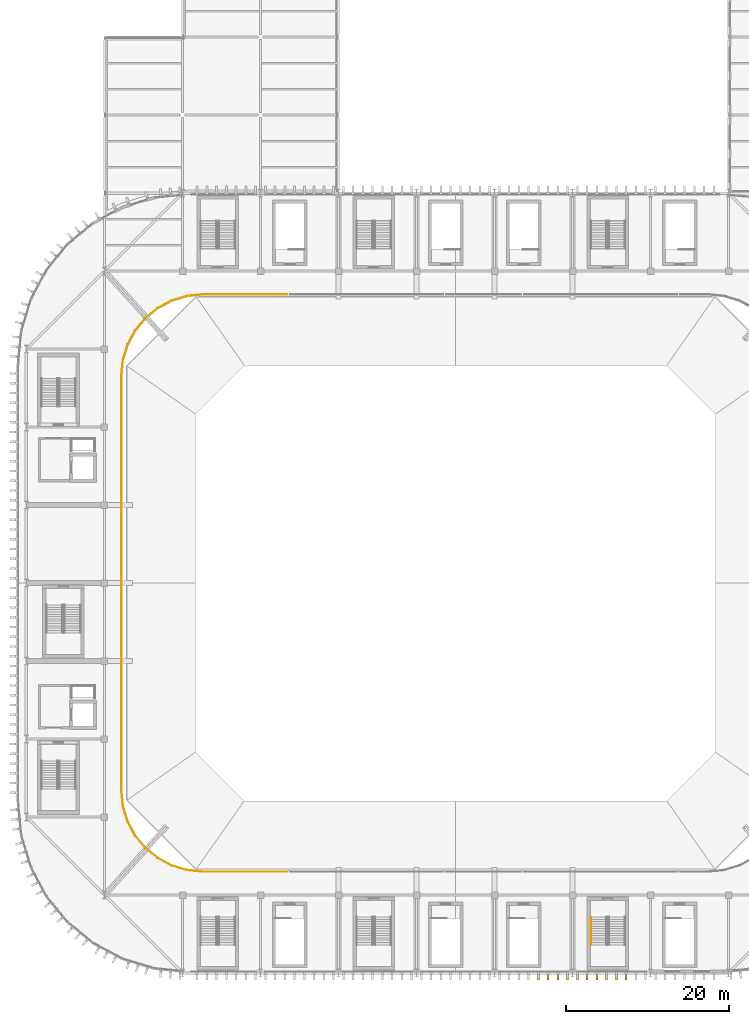
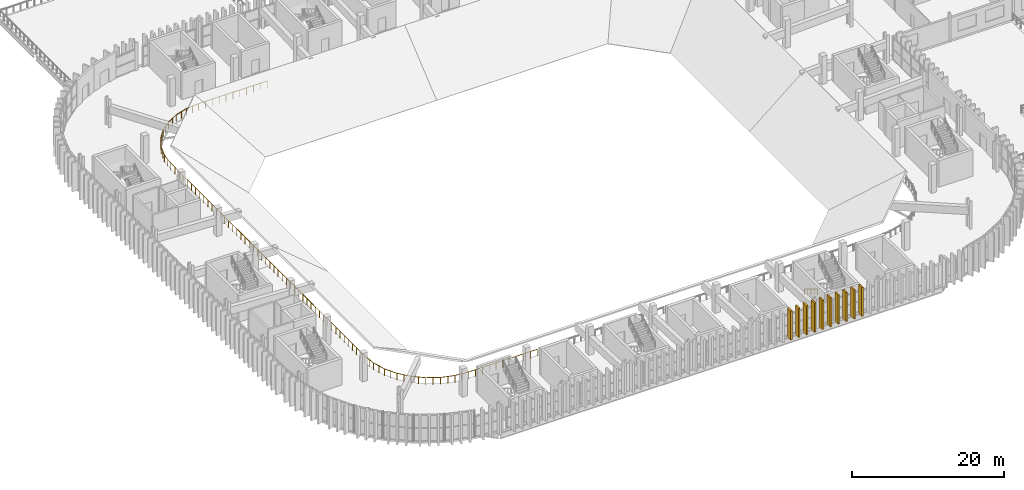
# One storey, part 58 of 69: 10 coverings, 2 railings.
"""IFC4 building model written with IfcOpenShell, lengths in metres."""

from ifc_helpers import new_model, si_unit, direction, frame, origin, origin_2d, place, context, subcontext, project, spatial, rectangle, circle, extrude, material, material_profile, profile_set, type_object, element, save


model = new_model("IFC4")

# Units and contexts
model_context = context("Model", 3, precision=1e-05, world=origin(), true_north=direction((0.0, 1.0)))
body_context = subcontext(model_context, "Body", "Model", "MODEL_VIEW")
ifc_project = project(units=[si_unit("LENGTHUNIT", "METRE"), si_unit("AREAUNIT", "SQUARE_METRE"), si_unit("VOLUMEUNIT", "CUBIC_METRE"), si_unit("PLANEANGLEUNIT", "RADIAN"), si_unit("MASSUNIT", "GRAM", prefix="KILO")], contexts=[model_context])

# Site, building, storey
site_placement = place(None, origin())
site = spatial("IfcSite", under=ifc_project, at=site_placement, CompositionType="ELEMENT")
building_placement = place(site_placement, origin())
building = spatial("IfcBuilding", under=site, at=building_placement, Name="Caelomonte Colonnade Arena", CompositionType="ELEMENT")
storey_placement = place(building_placement, frame((0.0, 0.0, 18.60009765625)))
storey = spatial("IfcBuildingStorey", under=building, at=storey_placement, Name="L04", CompositionType="ELEMENT", Elevation=18.60009765625)

# Coverings
ifc_material_1 = material(Name="Precast travertine cladding", Category="masonry")
ifc_material_profile = material_profile(ifc_material_1, rectangle(XDim=0.260009765625, YDim=0.85009765625, at=origin_2d()), Name="FIN260X850")
ifc_profile_set = profile_set([ifc_material_profile], Name="Precast travertine cladding")
covering_type = type_object("IfcCoveringType", Name="ENV-FN-SHAFT", PredefinedType="CLADDING", material=ifc_profile_set)
for number, where, z_axis, x_axis, name in (
    (1, (120.60009765625, 18.779052734375, -0.16015625), (0.0, 0.0, 1.0), (-1.0, 0.0, 0.0), "V1 L04 classical travertine vertical fin 274"),
    (2, (121.800048828125, 18.779052734375, -0.16015625), (0.0, 0.0, 1.0), (-1.0, 0.0, 0.0), "V1 L04 classical travertine vertical fin 275"),
    (3, (123.0, 18.779052734375, -0.16015625), (0.0, 0.0, 1.0), (-1.0, 0.0, 0.0), "V1 L04 classical travertine vertical fin 276"),
    (4, (124.199951171875, 18.779052734375, -0.16015625), (0.0, 0.0, 1.0), (-1.0, 0.0, 0.0), "V1 L04 classical travertine vertical fin 277"),
    (5, (125.39990234375, 18.779052734375, -0.16015625), (0.0, 0.0, 1.0), (-1.0, 0.0, 0.0), "V1 L04 classical travertine vertical fin 278"),
    (6, (126.60009765625, 18.779052734375, -0.16015625), (0.0, 0.0, 1.0), (-1.0, 0.0, 0.0), "V1 L04 classical travertine vertical fin 279"),
    (7, (127.800048828125, 18.779052734375, -0.16015625), (0.0, 0.0, 1.0), (-1.0, 0.0, 0.0), "V1 L04 classical travertine vertical fin 280"),
    (8, (129.0, 18.779052734375, -0.16015625), (0.0, 0.0, 1.0), (-1.0, 0.0, 0.0), "V1 L04 classical travertine vertical fin 281"),
    (9, (130.199951171875, 18.779052734375, -0.16015625), (0.0, 0.0, 1.0), (-1.0, 0.0, 0.0), "V1 L04 classical travertine vertical fin 282"),
    (10, (131.39990234375, 18.779052734375, -0.16015625), (0.0, 0.0, 1.0), (-1.0, 0.0, 0.0), "V1 L04 classical travertine vertical fin 283"),
):
    element("IfcCovering", number, at=place(storey_placement, frame(where, z_axis=z_axis, x_axis=x_axis)), inside=storey, type_object=covering_type, Name=name, PredefinedType="CLADDING", context=body_context, shape_type="SweptSolid", body=[
        extrude(rectangle(XDim=0.260009765625, YDim=0.85009765625, at=origin_2d()), origin(), (0.0, 0.0, 1.0), 4.66015625),
    ])

# Railings
ifc_material_2 = material(Name="Painted galvanized steel handrail and posts", Category="steel")
railing_type_1 = type_object("IfcRailingType", Name="ENV-RL-GRD1", PredefinedType="GUARDRAIL", material=ifc_material_2)
railing_1_placement = place(storey_placement, frame((89.693115234375, 102.719970703125, 0.0)))
element("IfcRailing", 11, at=railing_1_placement, inside=storey, type_object=railing_type_1, Name="L04 upper concourse bowl guard 5", PredefinedType="GUARDRAIL", context=body_context, shape_type="SweptSolid", body=[
    extrude(circle(Radius=0.02392578125, at=origin_2d()), frame((0.0, 0.0, 1.076171875), z_axis=(-1.0, 0.0, 0.0), x_axis=(0.0, -1.0, 0.0)), (0.0, 0.0, 1.0), 10.3818359375),
    extrude(circle(Radius=0.02392578125, at=origin_2d()), frame((-10.444091796875, -0.003173828125, 1.076171875), z_axis=(-0.995185270943, -0.098011614095, 0.0), x_axis=(0.098011614095, -0.995185270943, 0.0)), (0.0, 0.0, 1.0), 1.89794921875),
    extrude(circle(Radius=0.02392578125, at=origin_2d()), frame((-12.39404296875, -0.201171875, 1.076171875), z_axis=(-0.956937426882, -0.290294266276, 0.0), x_axis=(0.290294266276, -0.956937426882, 0.0)), (0.0, 0.0, 1.0), 1.89794921875),
    extrude(circle(Radius=0.02392578125, at=origin_2d()), frame((-14.267578125, -0.77587890625, 1.076171875), z_axis=(-0.881914706722, -0.471409005076, 0.0), x_axis=(0.471409005076, -0.881914706722, 0.0)), (0.0, 0.0, 1.0), 1.897705078125),
    extrude(circle(Radius=0.02392578125, at=origin_2d()), frame((-15.992919921875, -1.705078125, 1.076171875), z_axis=(-0.773007598499, -0.634396762809, 0.0), x_axis=(0.634396762809, -0.773007598499, 0.0)), (0.0, 0.0, 1.0), 1.89794921875),
    extrude(circle(Radius=0.02392578125, at=origin_2d()), frame((-17.50390625, -2.953125, 1.076171875), z_axis=(-0.634396762809, -0.773007598499, 0.0), x_axis=(0.773007598499, -0.634396762809, 0.0)), (0.0, 0.0, 1.0), 1.89794921875),
    extrude(circle(Radius=0.02392578125, at=origin_2d()), frame((-18.742431640625, -4.471923828125, 1.076171875), z_axis=(-0.471409005076, -0.881914706722, 0.0), x_axis=(0.881914706722, -0.471409005076, 0.0)), (0.0, 0.0, 1.0), 1.897705078125),
    extrude(circle(Radius=0.02392578125, at=origin_2d()), frame((-19.660888671875, -6.203125, 1.076171875), z_axis=(-0.290294266276, -0.956937426882, 0.0), x_axis=(0.956937426882, -0.290294266276, 0.0)), (0.0, 0.0, 1.0), 1.89794921875),
    extrude(circle(Radius=0.02392578125, at=origin_2d()), frame((-20.22412109375, -8.080078125, 1.076171875), z_axis=(-0.098011614095, -0.995185270943, 0.0), x_axis=(0.995185270943, -0.098011614095, 0.0)), (0.0, 0.0, 1.0), 1.89794921875),
    extrude(circle(Radius=0.02392578125, at=origin_2d()), frame((-20.4130859375, -10.03125, 1.076171875), z_axis=(0.0, -1.0, 0.0), x_axis=(1.0, 0.0, 0.0)), (0.0, 0.0, 1.0), 50.9775390625),
    extrude(circle(Radius=0.02392578125, at=origin_2d()), frame((-20.409912109375, -61.071044921875, 1.076171875), z_axis=(0.098011614095, -0.995185270943, 0.0), x_axis=(0.995185270943, 0.098011614095, 0.0)), (0.0, 0.0, 1.0), 1.89794921875),
    extrude(circle(Radius=0.02392578125, at=origin_2d()), frame((-20.2119140625, -63.02099609375, 1.076171875), z_axis=(0.290328865595, -0.956926930231, 0.0), x_axis=(0.956926930231, 0.290328865595, 0.0)), (0.0, 0.0, 1.0), 1.897705078125),
    extrude(circle(Radius=0.02392578125, at=origin_2d()), frame((-19.63720703125, -64.894287109375, 1.076171875), z_axis=(0.471357230618, -0.881942379719, 0.0), x_axis=(0.881942379719, 0.471357230618, 0.0)), (0.0, 0.0, 1.0), 1.89794921875),
    extrude(circle(Radius=0.02392578125, at=origin_2d()), frame((-18.7080078125, -66.619873046875, 1.076171875), z_axis=(0.634396762809, -0.773007598499, 0.0), x_axis=(0.773007598499, 0.634396762809, 0.0)), (0.0, 0.0, 1.0), 1.89794921875),
    extrude(circle(Radius=0.02392578125, at=origin_2d()), frame((-17.4599609375, -68.130859375, 1.076171875), z_axis=(0.773007598499, -0.634396762809, 0.0), x_axis=(0.634396762809, 0.773007598499, 0.0)), (0.0, 0.0, 1.0), 1.89794921875),
    extrude(circle(Radius=0.02392578125, at=origin_2d()), frame((-15.941162109375, -69.369384765625, 1.076171875), z_axis=(0.881914706722, -0.471409005076, 0.0), x_axis=(0.471409005076, 0.881914706722, 0.0)), (0.0, 0.0, 1.0), 1.897705078125),
    extrude(circle(Radius=0.02392578125, at=origin_2d()), frame((-14.2099609375, -70.287841796875, 1.076171875), z_axis=(0.956937426882, -0.290294266276, 0.0), x_axis=(0.290294266276, 0.956937426882, 0.0)), (0.0, 0.0, 1.0), 1.89794921875),
    extrude(circle(Radius=0.02392578125, at=origin_2d()), frame((-12.3330078125, -70.85107421875, 1.076171875), z_axis=(0.995185270943, -0.098011614095, 0.0), x_axis=(0.098011614095, 0.995185270943, 0.0)), (0.0, 0.0, 1.0), 1.89794921875),
    extrude(circle(Radius=0.02392578125, at=origin_2d()), frame((-10.3818359375, -71.0400390625, 1.076171875), z_axis=(1.0, 0.0, 0.0), x_axis=(0.0, 1.0, 0.0)), (0.0, 0.0, 1.0), 10.3818359375),
    extrude(circle(Radius=0.02099609375, at=origin_2d()), origin(), (0.0, 0.0, 1.0), 1.048095703125),
    extrude(circle(Radius=0.02099609375, at=origin_2d()), frame((-1.041259765625, 0.0, 0.0)), (0.0, 0.0, 1.0), 1.048095703125),
    extrude(circle(Radius=0.02099609375, at=origin_2d()), frame((-2.08251953125, 0.0, 0.0)), (0.0, 0.0, 1.0), 1.048095703125),
    extrude(circle(Radius=0.02099609375, at=origin_2d()), frame((-3.1240234375, 0.0, 0.0)), (0.0, 0.0, 1.0), 1.048095703125),
    extrude(circle(Radius=0.02099609375, at=origin_2d()), frame((-4.165283203125, 0.0, 0.0)), (0.0, 0.0, 1.0), 1.048095703125),
    extrude(circle(Radius=0.02099609375, at=origin_2d()), frame((-5.20654296875, 0.0, 0.0)), (0.0, 0.0, 1.0), 1.048095703125),
    extrude(circle(Radius=0.02099609375, at=origin_2d()), frame((-6.247802734375, 0.0, 0.0)), (0.0, 0.0, 1.0), 1.048095703125),
    extrude(circle(Radius=0.02099609375, at=origin_2d()), frame((-7.2890625, 0.0, 0.0)), (0.0, 0.0, 1.0), 1.048095703125),
    extrude(circle(Radius=0.02099609375, at=origin_2d()), frame((-8.33056640625, 0.0, 0.0)), (0.0, 0.0, 1.0), 1.048095703125),
    extrude(circle(Radius=0.02099609375, at=origin_2d()), frame((-9.371826171875, 0.0, 0.0)), (0.0, 0.0, 1.0), 1.048095703125),
    extrude(circle(Radius=0.02099609375, at=origin_2d()), frame((-10.4130859375, 0.0, 0.0)), (0.0, 0.0, 1.0), 1.048095703125),
    extrude(circle(Radius=0.02099609375, at=origin_2d()), frame((-11.388671875, -0.09619140625, 0.0)), (0.0, 0.0, 1.0), 1.048095703125),
    extrude(circle(Radius=0.02099609375, at=origin_2d()), frame((-12.364013671875, -0.192138671875, 0.0)), (0.0, 0.0, 1.0), 1.048095703125),
    extrude(circle(Radius=0.02099609375, at=origin_2d()), frame((-13.302001953125, -0.4765625, 0.0)), (0.0, 0.0, 1.0), 1.048095703125),
    extrude(circle(Radius=0.02099609375, at=origin_2d()), frame((-14.239990234375, -0.76123046875, 0.0)), (0.0, 0.0, 1.0), 1.048095703125),
    extrude(circle(Radius=0.02099609375, at=origin_2d()), frame((-15.1044921875, -1.22314453125, 0.0)), (0.0, 0.0, 1.0), 1.048095703125),
    extrude(circle(Radius=0.02099609375, at=origin_2d()), frame((-15.96875, -1.685302734375, 0.0)), (0.0, 0.0, 1.0), 1.048095703125),
    extrude(circle(Radius=0.02099609375, at=origin_2d()), frame((-16.7265625, -2.30712890625, 0.0)), (0.0, 0.0, 1.0), 1.048095703125),
    extrude(circle(Radius=0.02099609375, at=origin_2d()), frame((-17.484130859375, -2.928955078125, 0.0)), (0.0, 0.0, 1.0), 1.048095703125),
    extrude(circle(Radius=0.02099609375, at=origin_2d()), frame((-18.10595703125, -3.6865234375, 0.0)), (0.0, 0.0, 1.0), 1.048095703125),
    extrude(circle(Radius=0.02099609375, at=origin_2d()), frame((-18.727783203125, -4.4443359375, 0.0)), (0.0, 0.0, 1.0), 1.048095703125),
    extrude(circle(Radius=0.02099609375, at=origin_2d()), frame((-19.18994140625, -5.30859375, 0.0)), (0.0, 0.0, 1.0), 1.048095703125),
    extrude(circle(Radius=0.02099609375, at=origin_2d()), frame((-19.65185546875, -6.173095703125, 0.0)), (0.0, 0.0, 1.0), 1.048095703125),
    extrude(circle(Radius=0.02099609375, at=origin_2d()), frame((-19.9365234375, -7.111083984375, 0.0)), (0.0, 0.0, 1.0), 1.048095703125),
    extrude(circle(Radius=0.02099609375, at=origin_2d()), frame((-20.220947265625, -8.049072265625, 0.0)), (0.0, 0.0, 1.0), 1.048095703125),
    extrude(circle(Radius=0.02099609375, at=origin_2d()), frame((-20.31689453125, -9.0244140625, 0.0)), (0.0, 0.0, 1.0), 1.048095703125),
    extrude(circle(Radius=0.02099609375, at=origin_2d()), frame((-20.4130859375, -10.0, 0.0)), (0.0, 0.0, 1.0), 1.048095703125),
    extrude(circle(Radius=0.02099609375, at=origin_2d()), frame((-20.4130859375, -11.0859375, 0.0)), (0.0, 0.0, 1.0), 1.048095703125),
    extrude(circle(Radius=0.02099609375, at=origin_2d()), frame((-20.4130859375, -12.171875, 0.0)), (0.0, 0.0, 1.0), 1.048095703125),
    extrude(circle(Radius=0.02099609375, at=origin_2d()), frame((-20.4130859375, -13.2578125, 0.0)), (0.0, 0.0, 1.0), 1.048095703125),
    extrude(circle(Radius=0.02099609375, at=origin_2d()), frame((-20.4130859375, -14.34375, 0.0)), (0.0, 0.0, 1.0), 1.048095703125),
    extrude(circle(Radius=0.02099609375, at=origin_2d()), frame((-20.4130859375, -15.4296875, 0.0)), (0.0, 0.0, 1.0), 1.048095703125),
    extrude(circle(Radius=0.02099609375, at=origin_2d()), frame((-20.4130859375, -16.515869140625, 0.0)), (0.0, 0.0, 1.0), 1.048095703125),
    extrude(circle(Radius=0.02099609375, at=origin_2d()), frame((-20.4130859375, -17.601806640625, 0.0)), (0.0, 0.0, 1.0), 1.048095703125),
    extrude(circle(Radius=0.02099609375, at=origin_2d()), frame((-20.4130859375, -18.687744140625, 0.0)), (0.0, 0.0, 1.0), 1.048095703125),
    extrude(circle(Radius=0.02099609375, at=origin_2d()), frame((-20.4130859375, -19.773681640625, 0.0)), (0.0, 0.0, 1.0), 1.048095703125),
    extrude(circle(Radius=0.02099609375, at=origin_2d()), frame((-20.4130859375, -20.859619140625, 0.0)), (0.0, 0.0, 1.0), 1.048095703125),
    extrude(circle(Radius=0.02099609375, at=origin_2d()), frame((-20.4130859375, -21.945556640625, 0.0)), (0.0, 0.0, 1.0), 1.048095703125),
    extrude(circle(Radius=0.02099609375, at=origin_2d()), frame((-20.4130859375, -23.031494140625, 0.0)), (0.0, 0.0, 1.0), 1.048095703125),
    extrude(circle(Radius=0.02099609375, at=origin_2d()), frame((-20.4130859375, -24.117431640625, 0.0)), (0.0, 0.0, 1.0), 1.048095703125),
    extrude(circle(Radius=0.02099609375, at=origin_2d()), frame((-20.4130859375, -25.203369140625, 0.0)), (0.0, 0.0, 1.0), 1.048095703125),
    extrude(circle(Radius=0.02099609375, at=origin_2d()), frame((-20.4130859375, -26.289306640625, 0.0)), (0.0, 0.0, 1.0), 1.048095703125),
    extrude(circle(Radius=0.02099609375, at=origin_2d()), frame((-20.4130859375, -27.375244140625, 0.0)), (0.0, 0.0, 1.0), 1.048095703125),
    extrude(circle(Radius=0.02099609375, at=origin_2d()), frame((-20.4130859375, -28.461181640625, 0.0)), (0.0, 0.0, 1.0), 1.048095703125),
    extrude(circle(Radius=0.02099609375, at=origin_2d()), frame((-20.4130859375, -29.54736328125, 0.0)), (0.0, 0.0, 1.0), 1.048095703125),
    extrude(circle(Radius=0.02099609375, at=origin_2d()), frame((-20.4130859375, -30.63330078125, 0.0)), (0.0, 0.0, 1.0), 1.048095703125),
    extrude(circle(Radius=0.02099609375, at=origin_2d()), frame((-20.4130859375, -31.71923828125, 0.0)), (0.0, 0.0, 1.0), 1.048095703125),
    extrude(circle(Radius=0.02099609375, at=origin_2d()), frame((-20.4130859375, -32.80517578125, 0.0)), (0.0, 0.0, 1.0), 1.048095703125),
    extrude(circle(Radius=0.02099609375, at=origin_2d()), frame((-20.4130859375, -33.89111328125, 0.0)), (0.0, 0.0, 1.0), 1.048095703125),
    extrude(circle(Radius=0.02099609375, at=origin_2d()), frame((-20.4130859375, -34.97705078125, 0.0)), (0.0, 0.0, 1.0), 1.048095703125),
    extrude(circle(Radius=0.02099609375, at=origin_2d()), frame((-20.4130859375, -36.06298828125, 0.0)), (0.0, 0.0, 1.0), 1.048095703125),
    extrude(circle(Radius=0.02099609375, at=origin_2d()), frame((-20.4130859375, -37.14892578125, 0.0)), (0.0, 0.0, 1.0), 1.048095703125),
    extrude(circle(Radius=0.02099609375, at=origin_2d()), frame((-20.4130859375, -38.23486328125, 0.0)), (0.0, 0.0, 1.0), 1.048095703125),
    extrude(circle(Radius=0.02099609375, at=origin_2d()), frame((-20.4130859375, -39.32080078125, 0.0)), (0.0, 0.0, 1.0), 1.048095703125),
    extrude(circle(Radius=0.02099609375, at=origin_2d()), frame((-20.4130859375, -40.40673828125, 0.0)), (0.0, 0.0, 1.0), 1.048095703125),
    extrude(circle(Radius=0.02099609375, at=origin_2d()), frame((-20.4130859375, -41.49267578125, 0.0)), (0.0, 0.0, 1.0), 1.048095703125),
    extrude(circle(Radius=0.02099609375, at=origin_2d()), frame((-20.4130859375, -42.578857421875, 0.0)), (0.0, 0.0, 1.0), 1.048095703125),
    extrude(circle(Radius=0.02099609375, at=origin_2d()), frame((-20.4130859375, -43.664794921875, 0.0)), (0.0, 0.0, 1.0), 1.048095703125),
    extrude(circle(Radius=0.02099609375, at=origin_2d()), frame((-20.4130859375, -44.750732421875, 0.0)), (0.0, 0.0, 1.0), 1.048095703125),
    extrude(circle(Radius=0.02099609375, at=origin_2d()), frame((-20.4130859375, -45.836669921875, 0.0)), (0.0, 0.0, 1.0), 1.048095703125),
    extrude(circle(Radius=0.02099609375, at=origin_2d()), frame((-20.4130859375, -46.922607421875, 0.0)), (0.0, 0.0, 1.0), 1.048095703125),
    extrude(circle(Radius=0.02099609375, at=origin_2d()), frame((-20.4130859375, -48.008544921875, 0.0)), (0.0, 0.0, 1.0), 1.048095703125),
    extrude(circle(Radius=0.02099609375, at=origin_2d()), frame((-20.4130859375, -49.094482421875, 0.0)), (0.0, 0.0, 1.0), 1.048095703125),
    extrude(circle(Radius=0.02099609375, at=origin_2d()), frame((-20.4130859375, -50.180419921875, 0.0)), (0.0, 0.0, 1.0), 1.048095703125),
    extrude(circle(Radius=0.02099609375, at=origin_2d()), frame((-20.4130859375, -51.266357421875, 0.0)), (0.0, 0.0, 1.0), 1.048095703125),
    extrude(circle(Radius=0.02099609375, at=origin_2d()), frame((-20.4130859375, -52.352294921875, 0.0)), (0.0, 0.0, 1.0), 1.048095703125),
    extrude(circle(Radius=0.02099609375, at=origin_2d()), frame((-20.4130859375, -53.438232421875, 0.0)), (0.0, 0.0, 1.0), 1.048095703125),
    extrude(circle(Radius=0.02099609375, at=origin_2d()), frame((-20.4130859375, -54.524169921875, 0.0)), (0.0, 0.0, 1.0), 1.048095703125),
    extrude(circle(Radius=0.02099609375, at=origin_2d()), frame((-20.4130859375, -55.6103515625, 0.0)), (0.0, 0.0, 1.0), 1.048095703125),
    extrude(circle(Radius=0.02099609375, at=origin_2d()), frame((-20.4130859375, -56.6962890625, 0.0)), (0.0, 0.0, 1.0), 1.048095703125),
    extrude(circle(Radius=0.02099609375, at=origin_2d()), frame((-20.4130859375, -57.7822265625, 0.0)), (0.0, 0.0, 1.0), 1.048095703125),
    extrude(circle(Radius=0.02099609375, at=origin_2d()), frame((-20.4130859375, -58.8681640625, 0.0)), (0.0, 0.0, 1.0), 1.048095703125),
    extrude(circle(Radius=0.02099609375, at=origin_2d()), frame((-20.4130859375, -59.9541015625, 0.0)), (0.0, 0.0, 1.0), 1.048095703125),
    extrude(circle(Radius=0.02099609375, at=origin_2d()), frame((-20.4130859375, -61.0400390625, 0.0)), (0.0, 0.0, 1.0), 1.048095703125),
    extrude(circle(Radius=0.02099609375, at=origin_2d()), frame((-20.31689453125, -62.015625, 0.0)), (0.0, 0.0, 1.0), 1.048095703125),
    extrude(circle(Radius=0.02099609375, at=origin_2d()), frame((-20.220947265625, -62.990966796875, 0.0)), (0.0, 0.0, 1.0), 1.048095703125),
    extrude(circle(Radius=0.02099609375, at=origin_2d()), frame((-19.9365234375, -63.9287109375, 0.0)), (0.0, 0.0, 1.0), 1.048095703125),
    extrude(circle(Radius=0.02099609375, at=origin_2d()), frame((-19.65185546875, -64.86669921875, 0.0)), (0.0, 0.0, 1.0), 1.048095703125),
    extrude(circle(Radius=0.02099609375, at=origin_2d()), frame((-19.18994140625, -65.731201171875, 0.0)), (0.0, 0.0, 1.0), 1.048095703125),
    extrude(circle(Radius=0.02099609375, at=origin_2d()), frame((-18.727783203125, -66.595703125, 0.0)), (0.0, 0.0, 1.0), 1.048095703125),
    extrude(circle(Radius=0.02099609375, at=origin_2d()), frame((-18.10595703125, -67.353515625, 0.0)), (0.0, 0.0, 1.0), 1.048095703125),
    extrude(circle(Radius=0.02099609375, at=origin_2d()), frame((-17.484130859375, -68.111083984375, 0.0)), (0.0, 0.0, 1.0), 1.048095703125),
    extrude(circle(Radius=0.02099609375, at=origin_2d()), frame((-16.7265625, -68.73291015625, 0.0)), (0.0, 0.0, 1.0), 1.048095703125),
    extrude(circle(Radius=0.02099609375, at=origin_2d()), frame((-15.96875, -69.354736328125, 0.0)), (0.0, 0.0, 1.0), 1.048095703125),
    extrude(circle(Radius=0.02099609375, at=origin_2d()), frame((-15.1044921875, -69.81689453125, 0.0)), (0.0, 0.0, 1.0), 1.048095703125),
    extrude(circle(Radius=0.02099609375, at=origin_2d()), frame((-14.239990234375, -70.27880859375, 0.0)), (0.0, 0.0, 1.0), 1.048095703125),
    extrude(circle(Radius=0.02099609375, at=origin_2d()), frame((-13.302001953125, -70.5634765625, 0.0)), (0.0, 0.0, 1.0), 1.048095703125),
    extrude(circle(Radius=0.02099609375, at=origin_2d()), frame((-12.364013671875, -70.847900390625, 0.0)), (0.0, 0.0, 1.0), 1.048095703125),
    extrude(circle(Radius=0.02099609375, at=origin_2d()), frame((-11.388671875, -70.94384765625, 0.0)), (0.0, 0.0, 1.0), 1.048095703125),
    extrude(circle(Radius=0.02099609375, at=origin_2d()), frame((-10.4130859375, -71.0400390625, 0.0)), (0.0, 0.0, 1.0), 1.048095703125),
    extrude(circle(Radius=0.02099609375, at=origin_2d()), frame((-9.371826171875, -71.0400390625, 0.0)), (0.0, 0.0, 1.0), 1.048095703125),
    extrude(circle(Radius=0.02099609375, at=origin_2d()), frame((-8.33056640625, -71.0400390625, 0.0)), (0.0, 0.0, 1.0), 1.048095703125),
    extrude(circle(Radius=0.02099609375, at=origin_2d()), frame((-7.2890625, -71.0400390625, 0.0)), (0.0, 0.0, 1.0), 1.048095703125),
    extrude(circle(Radius=0.02099609375, at=origin_2d()), frame((-6.247802734375, -71.0400390625, 0.0)), (0.0, 0.0, 1.0), 1.048095703125),
    extrude(circle(Radius=0.02099609375, at=origin_2d()), frame((-5.20654296875, -71.0400390625, 0.0)), (0.0, 0.0, 1.0), 1.048095703125),
    extrude(circle(Radius=0.02099609375, at=origin_2d()), frame((-4.165283203125, -71.0400390625, 0.0)), (0.0, 0.0, 1.0), 1.048095703125),
    extrude(circle(Radius=0.02099609375, at=origin_2d()), frame((-3.1240234375, -71.0400390625, 0.0)), (0.0, 0.0, 1.0), 1.048095703125),
    extrude(circle(Radius=0.02099609375, at=origin_2d()), frame((-2.08251953125, -71.0400390625, 0.0)), (0.0, 0.0, 1.0), 1.048095703125),
    extrude(circle(Radius=0.02099609375, at=origin_2d()), frame((-1.041259765625, -71.0400390625, 0.0)), (0.0, 0.0, 1.0), 1.048095703125),
    extrude(circle(Radius=0.02099609375, at=origin_2d()), frame((0.0, -71.0400390625, 0.0)), (0.0, 0.0, 1.0), 1.048095703125),
])
ifc_material_3 = material(Name="Brushed stainless steel stair handrail", Category="steel")
railing_type_2 = type_object("IfcRailingType", Name="INT-RL-HR", PredefinedType="HANDRAIL", material=ifc_material_3)
railing_2_placement = place(storey_placement, frame((127.050048828125, 26.10009765625, 0.173095703125)))
element("IfcRailing", 12, at=railing_2_placement, inside=storey, type_object=railing_type_2, Name="L04 ST-13 stair handrail 1", PredefinedType="HANDRAIL", context=body_context, shape_type="SweptSolid", body=[
    extrude(circle(Radius=0.02392578125, at=origin_2d()), frame((0.0, 0.0, 0.8759765625), z_axis=(0.0, -0.854745945586, 0.519046595696), x_axis=(1.0, 0.0, 0.0)), (0.0, 0.0, 1.0), 4.00146484375),
    extrude(circle(Radius=0.02099609375, at=origin_2d()), origin(), (0.0, 0.0, 1.0), 0.847900390625),
    extrude(circle(Radius=0.02099609375, at=origin_2d()), frame((0.0, -0.85498046875, 0.519287109375)), (0.0, 0.0, 1.0), 0.847900390625),
    extrude(circle(Radius=0.02099609375, at=origin_2d()), frame((0.0, -1.7099609375, 1.03857421875)), (0.0, 0.0, 1.0), 0.847900390625),
    extrude(circle(Radius=0.02099609375, at=origin_2d()), frame((0.0, -2.565185546875, 1.5576171875)), (0.0, 0.0, 1.0), 0.847900390625),
    extrude(circle(Radius=0.02099609375, at=origin_2d()), frame((0.0, -3.420166015625, 2.076904296875)), (0.0, 0.0, 1.0), 0.847900390625),
])

save(model, "model.ifc")
